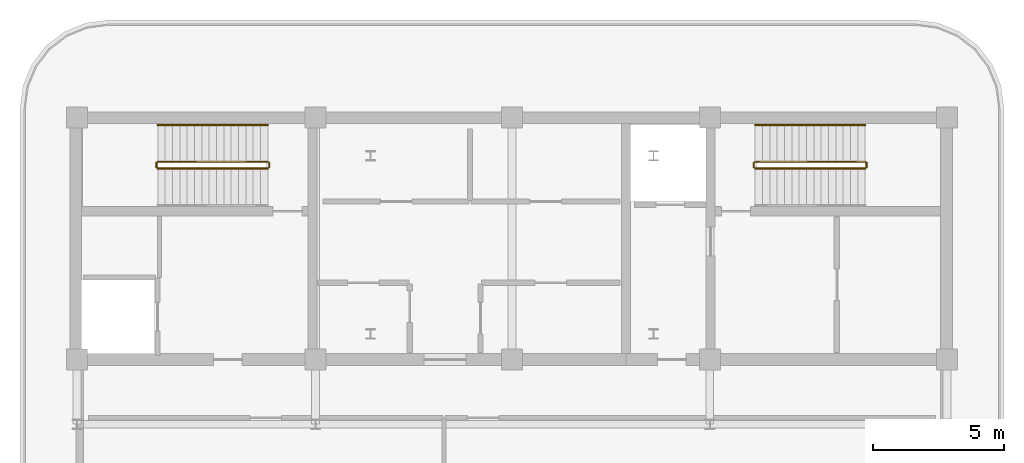
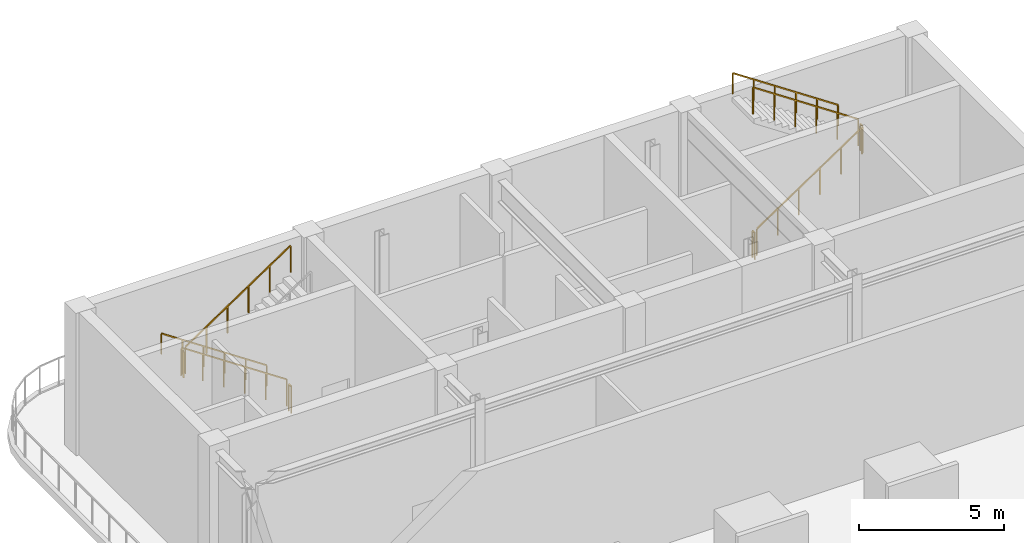
# One storey, part 4 of 4: 10 railings.
"""IFC4 building model written with IfcOpenShell, lengths in metres."""

from ifc_helpers import new_model, si_unit, direction, frame, origin, origin_2d, place, context, subcontext, project, spatial, rectangle, extrude, material, type_object, element, save


model = new_model("IFC4")

# Units and contexts
model_context = context("Model", 3, precision=1e-05, world=origin(), true_north=direction((0.0, 1.0)))
body_context = subcontext(model_context, "Body", "Model", "MODEL_VIEW")
ifc_project = project(units=[si_unit("LENGTHUNIT", "METRE"), si_unit("AREAUNIT", "SQUARE_METRE"), si_unit("VOLUMEUNIT", "CUBIC_METRE"), si_unit("PLANEANGLEUNIT", "RADIAN"), si_unit("MASSUNIT", "GRAM", prefix="KILO")], contexts=[model_context])

# Site, building, storey
site_placement = place(None, origin())
site = spatial("IfcSite", under=ifc_project, at=site_placement, CompositionType="ELEMENT")
building_placement = place(site_placement, origin())
building = spatial("IfcBuilding", under=site, at=building_placement, Name="Zarnavel Station Tower", CompositionType="ELEMENT")
storey_placement = place(building_placement, frame((0.0, 0.0, 280.60009765625)))
storey = spatial("IfcBuildingStorey", under=building, at=storey_placement, Name="L76", CompositionType="ELEMENT", Elevation=280.60009765625)

# Railings
ifc_material_1 = material(Name="Painted Steel S355J2 Balustrade", Category="steel")
railing_type_1 = type_object("IfcRailingType", Name="GR_INT_1150", PredefinedType="GUARDRAIL", material=ifc_material_1)
railing_1_placement = place(storey_placement, frame((19.47998046875, 35.3701171875, 0.1875)))
element("IfcRailing", 1, at=railing_1_placement, inside=storey, type_object=railing_type_1, Name="L76 ST1 stair guard 1", PredefinedType="GUARDRAIL", context=body_context, shape_type="SweptSolid", body=[
    extrude(rectangle(XDim=0.048095703125, YDim=0.048095703125, at=origin_2d()), frame((-0.001708984375, 0.0, 1.126953125), z_axis=(-0.830904186295, 0.0, 0.556415522067), x_axis=(0.0, -1.0, 0.0)), (0.0, 0.0, 1.0), 5.05078125),
    extrude(rectangle(XDim=0.0419921875, YDim=0.0419921875, at=origin_2d()), origin(), (0.0, 0.0, 1.0), 1.101806640625),
    extrude(rectangle(XDim=0.0419921875, YDim=0.0419921875, at=origin_2d()), frame((-0.840087890625, 0.0, 0.5625)), (0.0, 0.0, 1.0), 1.101806640625),
    extrude(rectangle(XDim=0.0419921875, YDim=0.0419921875, at=origin_2d()), frame((-1.679931640625, 0.0, 1.125)), (0.0, 0.0, 1.0), 1.101806640625),
    extrude(rectangle(XDim=0.0419921875, YDim=0.0419921875, at=origin_2d()), frame((-2.52001953125, 0.0, 1.6875)), (0.0, 0.0, 1.0), 1.101806640625),
    extrude(rectangle(XDim=0.0419921875, YDim=0.0419921875, at=origin_2d()), frame((-3.35986328125, 0.0, 2.25)), (0.0, 0.0, 1.0), 1.101806640625),
    extrude(rectangle(XDim=0.0419921875, YDim=0.0419921875, at=origin_2d()), frame((-4.199951171875, 0.0, 2.8125)), (0.0, 0.0, 1.0), 1.101806640625),
])
railing_2_placement = place(storey_placement, frame((15.22998046875, 35.320068359375, 3.0)))
element("IfcRailing", 2, at=railing_2_placement, inside=storey, type_object=railing_type_1, Name="L76 ST1 stair guard 2", PredefinedType="GUARDRAIL", context=body_context, shape_type="SweptSolid", body=[
    extrude(rectangle(XDim=0.048095703125, YDim=0.048095703125, at=origin_2d()), frame((0.0, -0.001953125, 1.1259765625), z_axis=(0.0, -1.0, 0.0), x_axis=(1.0, 0.0, 0.0)), (0.0, 0.0, 1.0), 0.15625),
    extrude(rectangle(XDim=0.0419921875, YDim=0.0419921875, at=origin_2d()), origin(), (0.0, 0.0, 1.0), 1.101806640625),
    extrude(rectangle(XDim=0.0419921875, YDim=0.0419921875, at=origin_2d()), frame((0.0, -0.16015625, 0.0)), (0.0, 0.0, 1.0), 1.101806640625),
])
railing_3_placement = place(storey_placement, frame((15.280029296875, 35.110107421875, 3.1875)))
element("IfcRailing", 3, at=railing_3_placement, inside=storey, type_object=railing_type_1, Name="L76 ST1 stair guard 3", PredefinedType="GUARDRAIL", context=body_context, shape_type="SweptSolid", body=[
    extrude(rectangle(XDim=0.048095703125, YDim=0.048095703125, at=origin_2d()), frame((0.001708984375, 0.0, 1.126953125), z_axis=(0.830904186295, 0.0, 0.556415522067), x_axis=(0.0, 1.0, 0.0)), (0.0, 0.0, 1.0), 5.05078125),
    extrude(rectangle(XDim=0.0419921875, YDim=0.0419921875, at=origin_2d()), origin(), (0.0, 0.0, 1.0), 1.101806640625),
    extrude(rectangle(XDim=0.0419921875, YDim=0.0419921875, at=origin_2d()), frame((0.840087890625, 0.0, 0.5625)), (0.0, 0.0, 1.0), 1.101806640625),
    extrude(rectangle(XDim=0.0419921875, YDim=0.0419921875, at=origin_2d()), frame((1.679931640625, 0.0, 1.125)), (0.0, 0.0, 1.0), 1.101806640625),
    extrude(rectangle(XDim=0.0419921875, YDim=0.0419921875, at=origin_2d()), frame((2.52001953125, 0.0, 1.6875)), (0.0, 0.0, 1.0), 1.101806640625),
    extrude(rectangle(XDim=0.0419921875, YDim=0.0419921875, at=origin_2d()), frame((3.35986328125, 0.0, 2.25)), (0.0, 0.0, 1.0), 1.101806640625),
    extrude(rectangle(XDim=0.0419921875, YDim=0.0419921875, at=origin_2d()), frame((4.199951171875, 0.0, 2.8125)), (0.0, 0.0, 1.0), 1.101806640625),
])
railing_4_placement = place(storey_placement, frame((19.530029296875, 35.320068359375, 0.0)))
element("IfcRailing", 4, at=railing_4_placement, inside=storey, type_object=railing_type_1, Name="L76 ST1 stair guard 4", PredefinedType="GUARDRAIL", context=body_context, shape_type="SweptSolid", body=[
    extrude(rectangle(XDim=0.048095703125, YDim=0.048095703125, at=origin_2d()), frame((0.0, -0.001953125, 1.1259765625), z_axis=(0.0, -1.0, 0.0), x_axis=(1.0, 0.0, 0.0)), (0.0, 0.0, 1.0), 0.15625),
    extrude(rectangle(XDim=0.0419921875, YDim=0.0419921875, at=origin_2d()), origin(), (0.0, 0.0, 1.0), 1.101806640625),
    extrude(rectangle(XDim=0.0419921875, YDim=0.0419921875, at=origin_2d()), frame((0.0, -0.16015625, 0.0)), (0.0, 0.0, 1.0), 1.101806640625),
])
railing_5_placement = place(storey_placement, frame((38.080078125, 35.110107421875, 0.1875)))
element("IfcRailing", 5, at=railing_5_placement, inside=storey, type_object=railing_type_1, Name="L76 ST2 stair guard 1", PredefinedType="GUARDRAIL", context=body_context, shape_type="SweptSolid", body=[
    extrude(rectangle(XDim=0.048095703125, YDim=0.048095703125, at=origin_2d()), frame((0.001708984375, 0.0, 1.126953125), z_axis=(0.830904186295, 0.0, 0.556415522067), x_axis=(0.0, 1.0, 0.0)), (0.0, 0.0, 1.0), 5.05078125),
    extrude(rectangle(XDim=0.0419921875, YDim=0.0419921875, at=origin_2d()), origin(), (0.0, 0.0, 1.0), 1.101806640625),
    extrude(rectangle(XDim=0.0419921875, YDim=0.0419921875, at=origin_2d()), frame((0.840087890625, 0.0, 0.5625)), (0.0, 0.0, 1.0), 1.101806640625),
    extrude(rectangle(XDim=0.0419921875, YDim=0.0419921875, at=origin_2d()), frame((1.679931640625, 0.0, 1.125)), (0.0, 0.0, 1.0), 1.101806640625),
    extrude(rectangle(XDim=0.0419921875, YDim=0.0419921875, at=origin_2d()), frame((2.52001953125, 0.0, 1.6875)), (0.0, 0.0, 1.0), 1.101806640625),
    extrude(rectangle(XDim=0.0419921875, YDim=0.0419921875, at=origin_2d()), frame((3.35986328125, 0.0, 2.25)), (0.0, 0.0, 1.0), 1.101806640625),
    extrude(rectangle(XDim=0.0419921875, YDim=0.0419921875, at=origin_2d()), frame((4.199951171875, 0.0, 2.8125)), (0.0, 0.0, 1.0), 1.101806640625),
])
railing_6_placement = place(storey_placement, frame((42.330078125, 35.159912109375, 3.0)))
element("IfcRailing", 6, at=railing_6_placement, inside=storey, type_object=railing_type_1, Name="L76 ST2 stair guard 2", PredefinedType="GUARDRAIL", context=body_context, shape_type="SweptSolid", body=[
    extrude(rectangle(XDim=0.048095703125, YDim=0.048095703125, at=origin_2d()), frame((0.0, 0.001953125, 1.1259765625), z_axis=(0.0, 1.0, 0.0), x_axis=(-1.0, 0.0, 0.0)), (0.0, 0.0, 1.0), 0.15625),
    extrude(rectangle(XDim=0.0419921875, YDim=0.0419921875, at=origin_2d()), origin(), (0.0, 0.0, 1.0), 1.101806640625),
    extrude(rectangle(XDim=0.0419921875, YDim=0.0419921875, at=origin_2d()), frame((0.0, 0.16015625, 0.0)), (0.0, 0.0, 1.0), 1.101806640625),
])
railing_7_placement = place(storey_placement, frame((42.280029296875, 35.3701171875, 3.1875)))
element("IfcRailing", 7, at=railing_7_placement, inside=storey, type_object=railing_type_1, Name="L76 ST2 stair guard 3", PredefinedType="GUARDRAIL", context=body_context, shape_type="SweptSolid", body=[
    extrude(rectangle(XDim=0.048095703125, YDim=0.048095703125, at=origin_2d()), frame((-0.001708984375, 0.0, 1.126953125), z_axis=(-0.830904186295, 0.0, 0.556415522067), x_axis=(0.0, -1.0, 0.0)), (0.0, 0.0, 1.0), 5.05078125),
    extrude(rectangle(XDim=0.0419921875, YDim=0.0419921875, at=origin_2d()), origin(), (0.0, 0.0, 1.0), 1.101806640625),
    extrude(rectangle(XDim=0.0419921875, YDim=0.0419921875, at=origin_2d()), frame((-0.840087890625, 0.0, 0.5625)), (0.0, 0.0, 1.0), 1.101806640625),
    extrude(rectangle(XDim=0.0419921875, YDim=0.0419921875, at=origin_2d()), frame((-1.679931640625, 0.0, 1.125)), (0.0, 0.0, 1.0), 1.101806640625),
    extrude(rectangle(XDim=0.0419921875, YDim=0.0419921875, at=origin_2d()), frame((-2.52001953125, 0.0, 1.6875)), (0.0, 0.0, 1.0), 1.101806640625),
    extrude(rectangle(XDim=0.0419921875, YDim=0.0419921875, at=origin_2d()), frame((-3.35986328125, 0.0, 2.25)), (0.0, 0.0, 1.0), 1.101806640625),
    extrude(rectangle(XDim=0.0419921875, YDim=0.0419921875, at=origin_2d()), frame((-4.199951171875, 0.0, 2.8125)), (0.0, 0.0, 1.0), 1.101806640625),
])
railing_8_placement = place(storey_placement, frame((38.030029296875, 35.159912109375, 0.0)))
element("IfcRailing", 8, at=railing_8_placement, inside=storey, type_object=railing_type_1, Name="L76 ST2 stair guard 4", PredefinedType="GUARDRAIL", context=body_context, shape_type="SweptSolid", body=[
    extrude(rectangle(XDim=0.048095703125, YDim=0.048095703125, at=origin_2d()), frame((0.0, 0.001953125, 1.1259765625), z_axis=(0.0, 1.0, 0.0), x_axis=(-1.0, 0.0, 0.0)), (0.0, 0.0, 1.0), 0.15625),
    extrude(rectangle(XDim=0.0419921875, YDim=0.0419921875, at=origin_2d()), origin(), (0.0, 0.0, 1.0), 1.101806640625),
    extrude(rectangle(XDim=0.0419921875, YDim=0.0419921875, at=origin_2d()), frame((0.0, 0.16015625, 0.0)), (0.0, 0.0, 1.0), 1.101806640625),
])
ifc_material_2 = material(Name="Brushed Stainless Steel S355J2 Handrail", Category="steel")
railing_type_2 = type_object("IfcRailingType", Name="HR_STAIR_900", PredefinedType="HANDRAIL", material=ifc_material_2)
for number, where, name in (
    (9, (19.47998046875, 36.77001953125, 0.1875), "L76 ST1 stair handrail 1"),
    (10, (42.280029296875, 36.77001953125, 3.1875), "L76 ST2 stair handrail 2"),
):
    element("IfcRailing", number, at=place(storey_placement, frame(where)), inside=storey, type_object=railing_type_2, Name=name, PredefinedType="HANDRAIL", context=body_context, shape_type="SweptSolid", body=[
        extrude(rectangle(XDim=0.048095703125, YDim=0.048095703125, at=origin_2d()), frame((-0.001708984375, 0.0, 0.876953125), z_axis=(-0.830904186295, 0.0, 0.556415522067), x_axis=(0.0, -1.0, 0.0)), (0.0, 0.0, 1.0), 5.05078125),
        extrude(rectangle(XDim=0.0419921875, YDim=0.0419921875, at=origin_2d()), origin(), (0.0, 0.0, 1.0), 0.851806640625),
        extrude(rectangle(XDim=0.0419921875, YDim=0.0419921875, at=origin_2d()), frame((-0.840087890625, 0.0, 0.5625)), (0.0, 0.0, 1.0), 0.851806640625),
        extrude(rectangle(XDim=0.0419921875, YDim=0.0419921875, at=origin_2d()), frame((-1.679931640625, 0.0, 1.125)), (0.0, 0.0, 1.0), 0.851806640625),
        extrude(rectangle(XDim=0.0419921875, YDim=0.0419921875, at=origin_2d()), frame((-2.52001953125, 0.0, 1.6875)), (0.0, 0.0, 1.0), 0.851806640625),
        extrude(rectangle(XDim=0.0419921875, YDim=0.0419921875, at=origin_2d()), frame((-3.35986328125, 0.0, 2.25)), (0.0, 0.0, 1.0), 0.851806640625),
        extrude(rectangle(XDim=0.0419921875, YDim=0.0419921875, at=origin_2d()), frame((-4.199951171875, 0.0, 2.8125)), (0.0, 0.0, 1.0), 0.851806640625),
    ])

save(model, "model.ifc")
